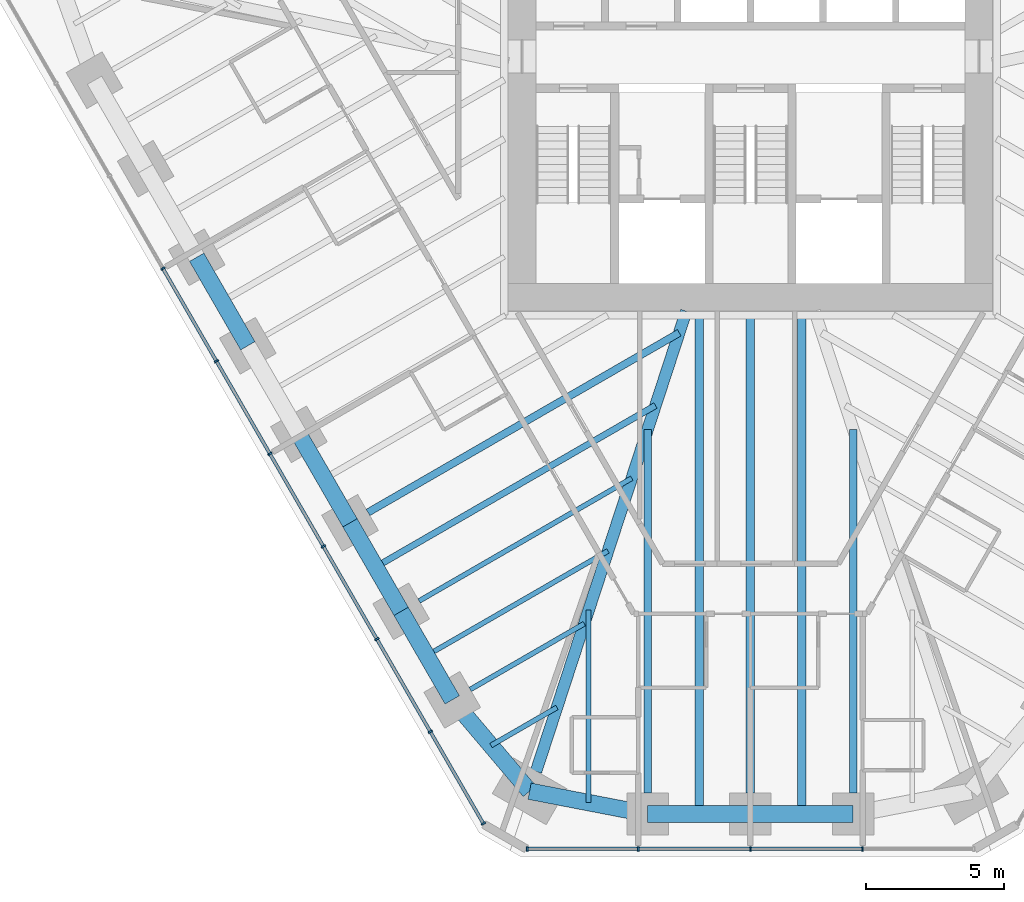
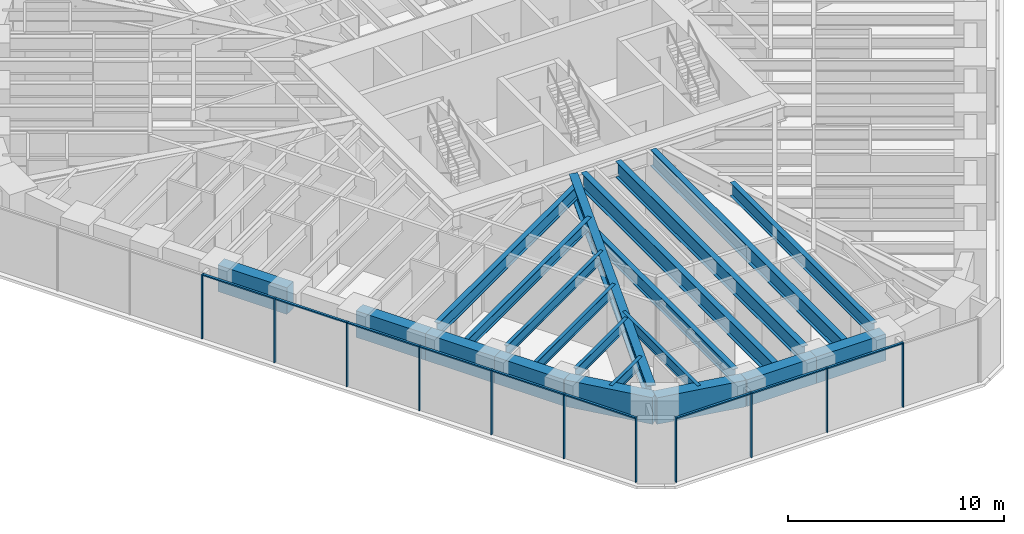
# One storey, part 2 of 17: 21 beams, 20 members, 2 elements without a shape of their own.
"""IFC4 building model written with IfcOpenShell, lengths in metres."""

from ifc_helpers import new_model, si_unit, direction, frame, origin, origin_2d, place, context, subcontext, project, spatial, rectangle, i_section, extrude, material, material_profile, profile_set, type_object, element, aggregate, save


model = new_model("IFC4")

# Units and contexts
model_context = context("Model", 3, precision=1e-05, world=origin(), true_north=direction((0.0, 1.0)))
body_context = subcontext(model_context, "Body", "Model", "MODEL_VIEW")
ifc_project = project(units=[si_unit("LENGTHUNIT", "METRE"), si_unit("AREAUNIT", "SQUARE_METRE"), si_unit("VOLUMEUNIT", "CUBIC_METRE"), si_unit("PLANEANGLEUNIT", "RADIAN"), si_unit("MASSUNIT", "GRAM", prefix="KILO")], contexts=[model_context])

# Site, building, storey
site_placement = place(None, origin())
site = spatial("IfcSite", under=ifc_project, at=site_placement, CompositionType="ELEMENT")
building_placement = place(site_placement, origin())
building = spatial("IfcBuilding", under=site, at=building_placement, Name="Sandreach Pilgrim Tower", CompositionType="ELEMENT")
storey_placement = place(building_placement, frame((0.0, 0.0, 194.60009765625)))
storey = spatial("IfcBuildingStorey", under=building, at=storey_placement, Name="L48", CompositionType="ELEMENT", Elevation=194.60009765625)

# Curtain wall, members
ifc_material_1 = material(Name="Aluminium framed curtain wall", Category="aluminium")
curtain_wall_type = type_object("IfcCurtainWallType", Name="Upper hotel tower curtain wall", PredefinedType="NOTDEFINED", material=ifc_material_1)
curtain_wall_1_placement = place(storey_placement, origin())
curtain_wall_1 = element("IfcCurtainWall", 1, at=curtain_wall_1_placement, inside=storey, type_object=curtain_wall_type, Name="CW-3 L48 S", PredefinedType="NOTDEFINED")
ifc_material_2 = material(Name="Aluminium extrusion", Category="aluminium")
ifc_material_profile_1 = material_profile(ifc_material_2, rectangle(XDim=0.06494140625, YDim=0.159912109375, at=origin_2d()), Name="CW-3M 65X160")
ifc_profile_set_1 = profile_set([ifc_material_profile_1], Name="Aluminium extrusion")
member_type_1 = type_object("IfcMemberType", Name="CW-3 mullion", PredefinedType="MULLION", material=ifc_profile_set_1)
member_1_placement = place(storey_placement, frame((4.048583984375, -26.525146484375, 0.0), z_axis=(0.0, 0.0, 1.0), x_axis=(-1.0, 0.0, 0.0)))
member_1 = element("IfcMember", 2, at=member_1_placement, type_object=member_type_1, Name="CW-3 mullion 2", PredefinedType="MULLION", context=body_context, shape_type="SweptSolid", body=[
    extrude(rectangle(XDim=0.06494140625, YDim=0.159912109375, at=origin_2d()), origin(), (0.0, 0.0, 1.0), 3.639892578125),
])
member_2_placement = place(storey_placement, frame((0.0, -26.525146484375, 0.0), z_axis=(0.0, 0.0, 1.0), x_axis=(-1.0, 0.0, 0.0)))
member_2 = element("IfcMember", 3, at=member_2_placement, type_object=member_type_1, Name="CW-3 mullion 3", PredefinedType="MULLION", context=body_context, shape_type="SweptSolid", body=[
    extrude(rectangle(XDim=0.06494140625, YDim=0.159912109375, at=origin_2d()), origin(), (0.0, 0.0, 1.0), 3.639892578125),
])
member_3_placement = place(storey_placement, frame((-4.048583984375, -26.525146484375, 0.0), z_axis=(0.0, 0.0, 1.0), x_axis=(-1.0, 0.0, 0.0)))
member_3 = element("IfcMember", 4, at=member_3_placement, type_object=member_type_1, Name="CW-3 mullion 4", PredefinedType="MULLION", context=body_context, shape_type="SweptSolid", body=[
    extrude(rectangle(XDim=0.06494140625, YDim=0.159912109375, at=origin_2d()), origin(), (0.0, 0.0, 1.0), 3.639892578125),
])
member_4_placement = place(storey_placement, frame((-8.06494140625, -26.525146484375, 0.0), z_axis=(0.0, 0.0, 1.0), x_axis=(-1.0, 0.0, 0.0)))
member_4 = element("IfcMember", 5, at=member_4_placement, type_object=member_type_1, Name="CW-3 mullion 5", PredefinedType="MULLION", context=body_context, shape_type="SweptSolid", body=[
    extrude(rectangle(XDim=0.06494140625, YDim=0.159912109375, at=origin_2d()), origin(), (0.0, 0.0, 1.0), 3.639892578125),
])

curtain_wall_2_placement = place(storey_placement, origin())
curtain_wall_2 = element("IfcCurtainWall", 6, at=curtain_wall_2_placement, inside=storey, type_object=curtain_wall_type, Name="CW-3 L48 SW", PredefinedType="NOTDEFINED")
member_5_placement = place(storey_placement, frame((-9.646484375, -25.612060546875, 0.0), z_axis=(0.0, 0.0, 1.0), x_axis=(-0.5, 0.866025403784, 0.0)))
member_5 = element("IfcMember", 7, at=member_5_placement, type_object=member_type_1, Name="CW-3 mullion 1", PredefinedType="MULLION", context=body_context, shape_type="SweptSolid", body=[
    extrude(rectangle(XDim=0.06494140625, YDim=0.159912109375, at=origin_2d()), origin(), (0.0, 0.0, 1.0), 3.639892578125),
])
member_6_placement = place(storey_placement, frame((-11.5625, -22.29345703125, 0.0), z_axis=(0.0, 0.0, 1.0), x_axis=(-0.5, 0.866025403784, 0.0)))
member_6 = element("IfcMember", 8, at=member_6_placement, type_object=member_type_1, Name="CW-3 mullion 2", PredefinedType="MULLION", context=body_context, shape_type="SweptSolid", body=[
    extrude(rectangle(XDim=0.06494140625, YDim=0.159912109375, at=origin_2d()), origin(), (0.0, 0.0, 1.0), 3.639892578125),
])
member_7_placement = place(storey_placement, frame((-13.49462890625, -18.94677734375, 0.0), z_axis=(0.0, 0.0, 1.0), x_axis=(-0.5, 0.866025403784, 0.0)))
member_7 = element("IfcMember", 9, at=member_7_placement, type_object=member_type_1, Name="CW-3 mullion 3", PredefinedType="MULLION", context=body_context, shape_type="SweptSolid", body=[
    extrude(rectangle(XDim=0.06494140625, YDim=0.159912109375, at=origin_2d()), origin(), (0.0, 0.0, 1.0), 3.639892578125),
])
member_8_placement = place(storey_placement, frame((-15.4267578125, -15.60009765625, 0.0), z_axis=(0.0, 0.0, 1.0), x_axis=(-0.5, 0.866025403784, 0.0)))
member_8 = element("IfcMember", 10, at=member_8_placement, type_object=member_type_1, Name="CW-3 mullion 4", PredefinedType="MULLION", context=body_context, shape_type="SweptSolid", body=[
    extrude(rectangle(XDim=0.06494140625, YDim=0.159912109375, at=origin_2d()), origin(), (0.0, 0.0, 1.0), 3.639892578125),
])
member_9_placement = place(storey_placement, frame((-17.359130859375, -12.25341796875, 0.0), z_axis=(0.0, 0.0, 1.0), x_axis=(-0.5, 0.866025403784, 0.0)))
member_9 = element("IfcMember", 11, at=member_9_placement, type_object=member_type_1, Name="CW-3 mullion 5", PredefinedType="MULLION", context=body_context, shape_type="SweptSolid", body=[
    extrude(rectangle(XDim=0.06494140625, YDim=0.159912109375, at=origin_2d()), origin(), (0.0, 0.0, 1.0), 3.639892578125),
])
member_10_placement = place(storey_placement, frame((-19.291259765625, -8.90673828125, 0.0), z_axis=(0.0, 0.0, 1.0), x_axis=(-0.5, 0.866025403784, 0.0)))
member_10 = element("IfcMember", 12, at=member_10_placement, type_object=member_type_1, Name="CW-3 mullion 6", PredefinedType="MULLION", context=body_context, shape_type="SweptSolid", body=[
    extrude(rectangle(XDim=0.06494140625, YDim=0.159912109375, at=origin_2d()), origin(), (0.0, 0.0, 1.0), 3.639892578125),
])
member_11_placement = place(storey_placement, frame((-21.223388671875, -5.56005859375, 0.0), z_axis=(0.0, 0.0, 1.0), x_axis=(-0.5, 0.866025403784, 0.0)))
member_11 = element("IfcMember", 13, at=member_11_placement, type_object=member_type_1, Name="CW-3 mullion 7", PredefinedType="MULLION", context=body_context, shape_type="SweptSolid", body=[
    extrude(rectangle(XDim=0.06494140625, YDim=0.159912109375, at=origin_2d()), origin(), (0.0, 0.0, 1.0), 3.639892578125),
])

# Member
ifc_material_3 = material(Name="Aluminium extrusion", Category="aluminium")
ifc_material_profile_2 = material_profile(ifc_material_3, rectangle(XDim=0.1201171875, YDim=0.070068359375, at=origin_2d()), Name="CW-3T 120X70")
ifc_profile_set_2 = profile_set([ifc_material_profile_2], Name="Aluminium extrusion")
member_type_2 = type_object("IfcMemberType", Name="CW-3 transom", PredefinedType="USERDEFINED", material=ifc_profile_set_2)
member_12_placement = place(storey_placement, frame((4.01611328125, -26.525146484375, 3.60498046875), z_axis=(-1.0, 0.0, 0.0), x_axis=(0.0, -1.0, 0.0)))
member_12 = element("IfcMember", 14, at=member_12_placement, type_object=member_type_2, Name="CW-3 head transom 2", ObjectType="TRANSOM", PredefinedType="USERDEFINED", context=body_context, shape_type="SweptSolid", body=[
    extrude(rectangle(XDim=0.1201171875, YDim=0.070068359375, at=origin_2d()), origin(), (0.0, 0.0, 1.0), 3.983642578125),
])

member_13_placement = place(storey_placement, frame((-0.032470703125, -26.525146484375, 3.60498046875), z_axis=(-1.0, 0.0, 0.0), x_axis=(0.0, -1.0, 0.0)))
member_13 = element("IfcMember", 15, at=member_13_placement, type_object=member_type_2, Name="CW-3 head transom 3", ObjectType="TRANSOM", PredefinedType="USERDEFINED", context=body_context, shape_type="SweptSolid", body=[
    extrude(rectangle(XDim=0.1201171875, YDim=0.070068359375, at=origin_2d()), origin(), (0.0, 0.0, 1.0), 3.983642578125),
])

member_14_placement = place(storey_placement, frame((-4.081298828125, -26.525146484375, 3.60498046875), z_axis=(-1.0, 0.0, 0.0), x_axis=(0.0, -1.0, 0.0)))
member_14 = element("IfcMember", 16, at=member_14_placement, type_object=member_type_2, Name="CW-3 head transom 4", ObjectType="TRANSOM", PredefinedType="USERDEFINED", context=body_context, shape_type="SweptSolid", body=[
    extrude(rectangle(XDim=0.1201171875, YDim=0.070068359375, at=origin_2d()), origin(), (0.0, 0.0, 1.0), 3.951171875),
])

aggregate(curtain_wall_1, [member_1, member_2, member_3, member_4, member_12, member_13, member_14])

member_15_placement = place(storey_placement, frame((-9.662841796875, -25.583740234375, 3.60498046875), z_axis=(-0.499973055223, 0.8660409598, 0.0), x_axis=(-0.8660409598, -0.499973055223, 0.0)))
member_15 = element("IfcMember", 17, at=member_15_placement, type_object=member_type_2, Name="CW-3 head transom 1", ObjectType="TRANSOM", PredefinedType="USERDEFINED", context=body_context, shape_type="SweptSolid", body=[
    extrude(rectangle(XDim=0.1201171875, YDim=0.070068359375, at=origin_2d()), origin(), (0.0, 0.0, 1.0), 3.766845703125),
])

member_16_placement = place(storey_placement, frame((-11.57861328125, -22.265380859375, 3.60498046875), z_axis=(-0.500022797313, 0.86601224135, 0.0), x_axis=(-0.86601224135, -0.500022797313, 0.0)))
member_16 = element("IfcMember", 18, at=member_16_placement, type_object=member_type_2, Name="CW-3 head transom 2", ObjectType="TRANSOM", PredefinedType="USERDEFINED", context=body_context, shape_type="SweptSolid", body=[
    extrude(rectangle(XDim=0.1201171875, YDim=0.070068359375, at=origin_2d()), origin(), (0.0, 0.0, 1.0), 3.799560546875),
])

member_17_placement = place(storey_placement, frame((-13.510986328125, -18.918701171875, 3.60498046875), z_axis=(-0.499974606132, 0.866040064445, 0.0), x_axis=(-0.866040064445, -0.499974606132, 0.0)))
member_17 = element("IfcMember", 19, at=member_17_placement, type_object=member_type_2, Name="CW-3 head transom 3", ObjectType="TRANSOM", PredefinedType="USERDEFINED", context=body_context, shape_type="SweptSolid", body=[
    extrude(rectangle(XDim=0.1201171875, YDim=0.070068359375, at=origin_2d()), origin(), (0.0, 0.0, 1.0), 3.799560546875),
])

member_18_placement = place(storey_placement, frame((-15.443115234375, -15.572021484375, 3.60498046875), z_axis=(-0.499974606132, 0.866040064445, 0.0), x_axis=(-0.866040064445, -0.499974606132, 0.0)))
member_18 = element("IfcMember", 20, at=member_18_placement, type_object=member_type_2, Name="CW-3 head transom 4", ObjectType="TRANSOM", PredefinedType="USERDEFINED", context=body_context, shape_type="SweptSolid", body=[
    extrude(rectangle(XDim=0.1201171875, YDim=0.070068359375, at=origin_2d()), origin(), (0.0, 0.0, 1.0), 3.799560546875),
])

member_19_placement = place(storey_placement, frame((-17.375244140625, -12.225341796875, 3.60498046875), z_axis=(-0.500022797313, 0.86601224135, 0.0), x_axis=(-0.86601224135, -0.500022797313, 0.0)))
member_19 = element("IfcMember", 21, at=member_19_placement, type_object=member_type_2, Name="CW-3 head transom 5", ObjectType="TRANSOM", PredefinedType="USERDEFINED", context=body_context, shape_type="SweptSolid", body=[
    extrude(rectangle(XDim=0.1201171875, YDim=0.070068359375, at=origin_2d()), origin(), (0.0, 0.0, 1.0), 3.799560546875),
])

member_20_placement = place(storey_placement, frame((-19.3076171875, -8.878662109375, 3.60498046875), z_axis=(-0.499974606132, 0.866040064445, 0.0), x_axis=(-0.866040064445, -0.499974606132, 0.0)))
member_20 = element("IfcMember", 22, at=member_20_placement, type_object=member_type_2, Name="CW-3 head transom 6", ObjectType="TRANSOM", PredefinedType="USERDEFINED", context=body_context, shape_type="SweptSolid", body=[
    extrude(rectangle(XDim=0.1201171875, YDim=0.070068359375, at=origin_2d()), origin(), (0.0, 0.0, 1.0), 3.799560546875),
])

aggregate(curtain_wall_2, [member_5, member_6, member_7, member_8, member_9, member_10, member_11, member_15, member_16, member_17, member_18, member_19, member_20])

# Beams
ifc_material_4 = material(Name="Steel ASTM A992 Grade 50", Category="steel")
ifc_material_profile_3 = material_profile(ifc_material_4, i_section(OverallWidth=0.421630859375, OverallDepth=0.95751953125, WebThickness=0.02587890625, FlangeThickness=0.046875, at=origin_2d()), Name="W36X330")
ifc_profile_set_3 = profile_set([ifc_material_profile_3], Name="Steel ASTM A992 Grade 50")
beam_type_1 = type_object("IfcBeamType", Name="Corner girder W36X330", PredefinedType="BEAM", material=ifc_profile_set_3)
beam_1_placement = place(storey_placement, frame((-7.745849609375, -23.72900390625, 3.1611328125), z_axis=(0.310317870968, 0.950632851819, 0.0), x_axis=(-0.950632851819, 0.310317870968, 0.0)))
element("IfcBeam", 23, at=beam_1_placement, inside=storey, type_object=beam_type_1, Name="BM L48 CG26", PredefinedType="BEAM", context=body_context, shape_type="SweptSolid", body=[
    extrude(i_section(OverallWidth=0.421630859375, OverallDepth=0.95751953125, WebThickness=0.02587890625, FlangeThickness=0.046875, at=origin_2d()), origin(), (0.0, 0.0, 1.0), 17.492431640625),
])
ifc_material_5 = material(Name="Steel ASTM A992 Grade 50", Category="steel")
ifc_material_profile_4 = material_profile(ifc_material_5, i_section(OverallWidth=0.1787109375, OverallDepth=0.60205078125, WebThickness=0.010986328125, FlangeThickness=0.014892578125, at=origin_2d()), Name="W24X62")
ifc_profile_set_4 = profile_set([ifc_material_profile_4], Name="Steel ASTM A992 Grade 50")
beam_type_2 = type_object("IfcBeamType", Name="Floor beam W24X62", PredefinedType="BEAM", material=ifc_profile_set_4)
beam_2_placement = place(storey_placement, frame((-10.12255859375, -20.767333984375, 3.3388671875), z_axis=(0.86603347311, 0.499986023258, 0.0), x_axis=(-0.499986023258, 0.86603347311, 0.0)))
element("IfcBeam", 24, at=beam_2_placement, inside=storey, type_object=beam_type_2, Name="BM L48 F27", PredefinedType="BEAM", context=body_context, shape_type="SweptSolid", body=[
    extrude(i_section(OverallWidth=0.1787109375, OverallDepth=0.60205078125, WebThickness=0.010986328125, FlangeThickness=0.014892578125, at=origin_2d()), origin(), (0.0, 0.0, 1.0), 4.757568359375),
])
beam_3_placement = place(storey_placement, frame((-11.96875, -17.569580078125, 3.3388671875), z_axis=(0.866020566617, 0.500008378126, 0.0), x_axis=(-0.500008378126, 0.866020566617, 0.0)))
element("IfcBeam", 25, at=beam_3_placement, inside=storey, type_object=beam_type_2, Name="BM L48 F28", PredefinedType="BEAM", context=body_context, shape_type="SweptSolid", body=[
    extrude(i_section(OverallWidth=0.1787109375, OverallDepth=0.60205078125, WebThickness=0.010986328125, FlangeThickness=0.014892578125, at=origin_2d()), origin(), (0.0, 0.0, 1.0), 8.869384765625),
])
beam_4_placement = place(storey_placement, frame((-5.844482421875, -24.853515625, 3.3388671875), z_axis=(0.0, 1.0, 0.0), x_axis=(-1.0, 0.0, 0.0)))
element("IfcBeam", 26, at=beam_4_placement, inside=storey, type_object=beam_type_2, Name="BM L48 FM25", PredefinedType="BEAM", context=body_context, shape_type="SweptSolid", body=[
    extrude(i_section(OverallWidth=0.1787109375, OverallDepth=0.60205078125, WebThickness=0.010986328125, FlangeThickness=0.014892578125, at=origin_2d()), origin(), (0.0, 0.0, 1.0), 6.94921875),
])
beam_5_placement = place(storey_placement, frame((-9.375244140625, -22.7919921875, 3.3388671875), z_axis=(0.866046803606, 0.49996293259, 0.0), x_axis=(-0.49996293259, 0.866046803606, 0.0)))
element("IfcBeam", 27, at=beam_5_placement, inside=storey, type_object=beam_type_2, Name="BM L48 FM26", PredefinedType="BEAM", context=body_context, shape_type="SweptSolid", body=[
    extrude(i_section(OverallWidth=0.1787109375, OverallDepth=0.60205078125, WebThickness=0.010986328125, FlangeThickness=0.014892578125, at=origin_2d()), origin(), (0.0, 0.0, 1.0), 2.753662109375),
])
beam_6_placement = place(storey_placement, frame((-11.6953125, -19.54345703125, 3.3388671875), z_axis=(0.866029704776, 0.49999255039, 0.0), x_axis=(-0.49999255039, 0.866029704776, 0.0)))
element("IfcBeam", 28, at=beam_6_placement, inside=storey, type_object=beam_type_2, Name="BM L48 FM27", PredefinedType="BEAM", context=body_context, shape_type="SweptSolid", body=[
    extrude(i_section(OverallWidth=0.1787109375, OverallDepth=0.60205078125, WebThickness=0.010986328125, FlangeThickness=0.014892578125, at=origin_2d()), origin(), (0.0, 0.0, 1.0), 7.5634765625),
])
ifc_material_6 = material(Name="Steel ASTM A992 Grade 50", Category="steel")
ifc_material_profile_5 = material_profile(ifc_material_6, i_section(OverallWidth=0.23046875, OverallDepth=0.6171875, WebThickness=0.01318359375, FlangeThickness=0.022216796875, at=origin_2d()), Name="W24X94")
ifc_profile_set_5 = profile_set([ifc_material_profile_5], Name="Steel ASTM A992 Grade 50")
beam_type_3 = type_object("IfcBeamType", Name="Floor beam W24X94", PredefinedType="BEAM", material=ifc_profile_set_5)
beam_7_placement = place(storey_placement, frame((-13.54150390625, -16.345703125, 3.331298828125), z_axis=(0.866026454974, 0.499998179282, 0.0), x_axis=(-0.499998179282, 0.866026454974, 0.0)))
element("IfcBeam", 29, at=beam_7_placement, inside=storey, type_object=beam_type_3, Name="BM L48 FM28", PredefinedType="BEAM", context=body_context, shape_type="SweptSolid", body=[
    extrude(i_section(OverallWidth=0.23046875, OverallDepth=0.6171875, WebThickness=0.01318359375, FlangeThickness=0.022216796875, at=origin_2d()), origin(), (0.0, 0.0, 1.0), 11.67578125),
])
ifc_material_7 = material(Name="Steel ASTM A992 Grade 50", Category="steel")
ifc_material_profile_6 = material_profile(ifc_material_7, i_section(OverallWidth=0.2666015625, OverallDepth=0.761962890625, WebThickness=0.014404296875, FlangeThickness=0.021484375, at=origin_2d()), Name="W30X116")
ifc_profile_set_6 = profile_set([ifc_material_profile_6], Name="Steel ASTM A992 Grade 50")
beam_type_4 = type_object("IfcBeamType", Name="Floor beam W30X116", PredefinedType="BEAM", material=ifc_profile_set_6)
for number, where, z_axis, x_axis, name in (
    (30, (3.71044921875, -24.51513671875, 3.2587890625), (0.0, 1.0, 0.0), (-1.0, 0.0, 0.0), "BM L48 F23"),
    (31, (-3.71044921875, -24.51513671875, 3.2587890625), (0.0, 1.0, 0.0), (-1.0, 0.0, 0.0), "BM L48 F25"),
):
    element("IfcBeam", number, at=place(storey_placement, frame(where, z_axis=z_axis, x_axis=x_axis)), inside=storey, type_object=beam_type_4, Name=name, PredefinedType="BEAM", context=body_context, shape_type="SweptSolid", body=[
        extrude(i_section(OverallWidth=0.2666015625, OverallDepth=0.761962890625, WebThickness=0.014404296875, FlangeThickness=0.021484375, at=origin_2d()), origin(), (0.0, 0.0, 1.0), 13.1484375),
    ])
beam_8_placement = place(storey_placement, frame((-13.815185546875, -14.371826171875, 3.2587890625), z_axis=(0.866025240073, 0.500000283557, 0.0), x_axis=(-0.500000283557, 0.866025240073, 0.0)))
element("IfcBeam", 32, at=beam_8_placement, inside=storey, type_object=beam_type_4, Name="BM L48 F29", PredefinedType="BEAM", context=body_context, shape_type="SweptSolid", body=[
    extrude(i_section(OverallWidth=0.2666015625, OverallDepth=0.761962890625, WebThickness=0.014404296875, FlangeThickness=0.021484375, at=origin_2d()), origin(), (0.0, 0.0, 1.0), 12.98193359375),
])
ifc_material_8 = material(Name="Steel ASTM A992 Grade 50", Category="steel")
ifc_material_profile_7 = material_profile(ifc_material_8, i_section(OverallWidth=0.3046875, OverallDepth=0.914306640625, WebThickness=0.0166015625, FlangeThickness=0.02587890625, at=origin_2d()), Name="W36X160")
ifc_profile_set_7 = profile_set([ifc_material_profile_7], Name="Steel ASTM A992 Grade 50")
beam_type_5 = type_object("IfcBeamType", Name="Floor beam W36X160", PredefinedType="BEAM", material=ifc_profile_set_7)
beam_9_placement = place(storey_placement, frame((0.0, -24.51513671875, 3.1826171875), z_axis=(0.0, 1.0, 0.0), x_axis=(-1.0, 0.0, 0.0)))
element("IfcBeam", 33, at=beam_9_placement, inside=storey, type_object=beam_type_5, Name="BM L48 F24", PredefinedType="BEAM", context=body_context, shape_type="SweptSolid", body=[
    extrude(i_section(OverallWidth=0.3046875, OverallDepth=0.914306640625, WebThickness=0.0166015625, FlangeThickness=0.02587890625, at=origin_2d()), origin(), (0.0, 0.0, 1.0), 17.271728515625),
])
for number, where, z_axis, x_axis, name in (
    (34, (1.855224609375, -25.26513671875, 3.1826171875), (0.0, 1.0, 0.0), (-1.0, 0.0, 0.0), "BM L48 FM23"),
    (35, (-1.855224609375, -25.26513671875, 3.1826171875), (0.0, 1.0, 0.0), (-1.0, 0.0, 0.0), "BM L48 FM24"),
):
    element("IfcBeam", number, at=place(storey_placement, frame(where, z_axis=z_axis, x_axis=x_axis)), inside=storey, type_object=beam_type_5, Name=name, PredefinedType="BEAM", context=body_context, shape_type="SweptSolid", body=[
        extrude(i_section(OverallWidth=0.3046875, OverallDepth=0.914306640625, WebThickness=0.0166015625, FlangeThickness=0.02587890625, at=origin_2d()), origin(), (0.0, 0.0, 1.0), 18.021728515625),
    ])
ifc_material_9 = material(Name="Concrete 10000 psi", Category="concrete")
ifc_material_profile_8 = material_profile(ifc_material_9, rectangle(XDim=0.60009765625, YDim=1.5, at=origin_2d()), Name="RC600X1500")
ifc_profile_set_8 = profile_set([ifc_material_profile_8], Name="Concrete 10000 psi")
beam_type_6 = type_object("IfcBeamType", Name="Spandrel beam RC600X1500", PredefinedType="SPANDREL", material=ifc_profile_set_8)
for number, where, z_axis, x_axis, name in (
    (36, (3.71044921875, -25.26513671875, 2.889892578125), (-1.0, 0.0, 0.0), (0.0, -1.0, 0.0), "BM L48 SP23"),
    (37, (0.0, -25.26513671875, 2.889892578125), (-1.0, 0.0, 0.0), (0.0, -1.0, 0.0), "BM L48 SP24"),
):
    element("IfcBeam", number, at=place(storey_placement, frame(where, z_axis=z_axis, x_axis=x_axis)), inside=storey, type_object=beam_type_6, Name=name, PredefinedType="SPANDREL", context=body_context, shape_type="SweptSolid", body=[
        extrude(rectangle(XDim=0.60009765625, YDim=1.5, at=origin_2d()), origin(), (0.0, 0.0, 1.0), 3.71044921875),
    ])
beam_10_placement = place(storey_placement, frame((-3.71044921875, -25.26513671875, 2.889892578125), z_axis=(-0.981901333807, 0.18939316426, 0.0), x_axis=(-0.18939316426, -0.981901333807, 0.0)))
element("IfcBeam", 38, at=beam_10_placement, inside=storey, type_object=beam_type_6, Name="BM L48 SP25", PredefinedType="SPANDREL", context=body_context, shape_type="SweptSolid", body=[
    extrude(rectangle(XDim=0.60009765625, YDim=1.5, at=origin_2d()), origin(), (0.0, 0.0, 1.0), 4.3466796875),
])
beam_11_placement = place(storey_placement, frame((-7.978515625, -24.44189453125, 2.889892578125), z_axis=(-0.646180160755, 0.76318490541, 0.0), x_axis=(-0.76318490541, -0.646180160755, 0.0)))
element("IfcBeam", 39, at=beam_11_placement, inside=storey, type_object=beam_type_6, Name="BM L48 SP26", PredefinedType="SPANDREL", context=body_context, shape_type="SweptSolid", body=[
    extrude(rectangle(XDim=0.60009765625, YDim=1.5, at=origin_2d()), origin(), (0.0, 0.0, 1.0), 4.323486328125),
])
for number, where, z_axis, x_axis, name in (
    (40, (-10.772216796875, -21.142333984375, 2.889892578125), (-0.499993363642, 0.866029235253, 0.0), (-0.866029235253, -0.499993363642, 0.0), "BM L48 SP27"),
    (41, (-12.618408203125, -17.944580078125, 2.889892578125), (-0.499993363642, 0.866029235253, 0.0), (-0.866029235253, -0.499993363642, 0.0), "BM L48 SP28"),
):
    element("IfcBeam", number, at=place(storey_placement, frame(where, z_axis=z_axis, x_axis=x_axis)), inside=storey, type_object=beam_type_6, Name=name, PredefinedType="SPANDREL", context=body_context, shape_type="SweptSolid", body=[
        extrude(rectangle(XDim=0.60009765625, YDim=1.5, at=origin_2d()), origin(), (0.0, 0.0, 1.0), 3.6923828125),
    ])
beam_12_placement = place(storey_placement, frame((-14.464599609375, -14.746826171875, 2.889892578125), z_axis=(-0.49996473481, 0.866045763194, 0.0), x_axis=(-0.866045763194, -0.49996473481, 0.0)))
element("IfcBeam", 42, at=beam_12_placement, inside=storey, type_object=beam_type_6, Name="BM L48 SP29", PredefinedType="SPANDREL", context=body_context, shape_type="SweptSolid", body=[
    extrude(rectangle(XDim=0.60009765625, YDim=1.5, at=origin_2d()), origin(), (0.0, 0.0, 1.0), 3.692626953125),
])
beam_13_placement = place(storey_placement, frame((-18.1572265625, -8.35107421875, 2.889892578125), z_axis=(-0.499993363642, 0.866029235253, 0.0), x_axis=(-0.866029235253, -0.499993363642, 0.0)))
element("IfcBeam", 43, at=beam_13_placement, inside=storey, type_object=beam_type_6, Name="BM L48 SP31", PredefinedType="SPANDREL", context=body_context, shape_type="SweptSolid", body=[
    extrude(rectangle(XDim=0.60009765625, YDim=1.5, at=origin_2d()), origin(), (0.0, 0.0, 1.0), 3.6923828125),
])

save(model, "model.ifc")
